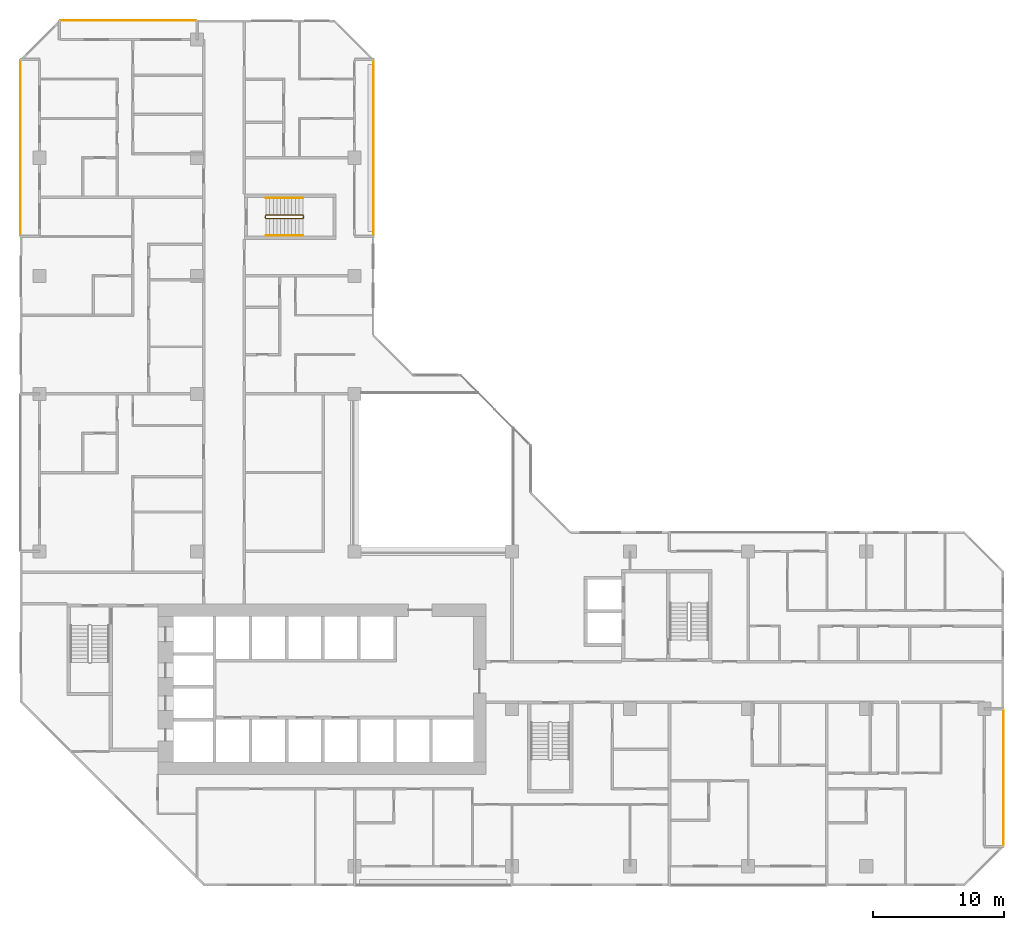
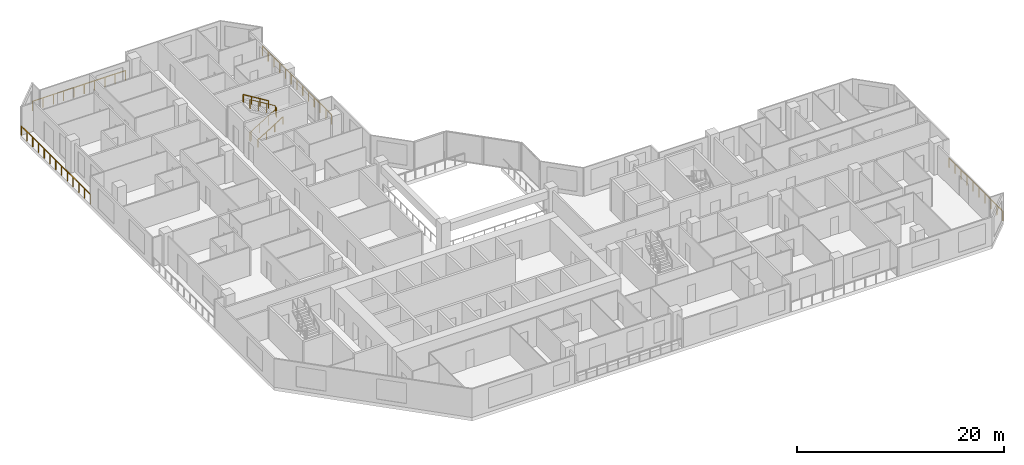
# One storey, part 15 of 15: 7 railings.
"""IFC4 building model written with IfcOpenShell, lengths in metres."""

from ifc_helpers import new_model, si_unit, direction, frame, origin, origin_2d, place, context, subcontext, project, spatial, rectangle, extrude, material, type_object, element, save


model = new_model("IFC4")

# Units and contexts
model_context = context("Model", 3, precision=1e-05, world=origin(), true_north=direction((0.0, 1.0)))
body_context = subcontext(model_context, "Body", "Model", "MODEL_VIEW")
ifc_project = project(units=[si_unit("LENGTHUNIT", "METRE"), si_unit("AREAUNIT", "SQUARE_METRE"), si_unit("VOLUMEUNIT", "CUBIC_METRE"), si_unit("PLANEANGLEUNIT", "RADIAN"), si_unit("MASSUNIT", "GRAM", prefix="KILO")], contexts=[model_context])

# Site, building, storey
site_placement = place(None, origin())
site = spatial("IfcSite", under=ifc_project, at=site_placement, CompositionType="ELEMENT")
building_placement = place(site_placement, origin())
building = spatial("IfcBuilding", under=site, at=building_placement, Name="Chenar Terraces", CompositionType="ELEMENT")
storey_placement = place(building_placement, frame((0.0, 0.0, 95.64990234375)))
storey = spatial("IfcBuildingStorey", under=building, at=storey_placement, Name="L21", CompositionType="ELEMENT", Elevation=95.64990234375)

# Railings
ifc_material_1 = material(Name="Stainless steel and glass", Category="steel")
railing_type_1 = type_object("IfcRailingType", Name="Loggia guard 1150", PredefinedType="GUARDRAIL", material=ifc_material_1)
railing_1_placement = place(storey_placement, frame((25.449951171875, 48.074951171875, 0.0)))
element("IfcRailing", 1, at=railing_1_placement, inside=storey, type_object=railing_type_1, Name="Loggia guard", PredefinedType="GUARDRAIL", context=body_context, shape_type="SweptSolid", body=[
    extrude(rectangle(XDim=0.048095703125, YDim=0.048095703125, at=origin_2d()), frame((0.0, 0.0, 1.1259765625), z_axis=(0.0, 1.0, 0.0), x_axis=(-1.0, 0.0, 0.0)), (0.0, 0.0, 1.0), 13.35009765625),
    extrude(rectangle(XDim=0.0419921875, YDim=0.0419921875, at=origin_2d()), origin(), (0.0, 0.0, 1.0), 1.101806640625),
    extrude(rectangle(XDim=0.0419921875, YDim=0.0419921875, at=origin_2d()), frame((0.0, 1.112548828125, 0.0)), (0.0, 0.0, 1.0), 1.101806640625),
    extrude(rectangle(XDim=0.0419921875, YDim=0.0419921875, at=origin_2d()), frame((0.0, 2.22509765625, 0.0)), (0.0, 0.0, 1.0), 1.101806640625),
    extrude(rectangle(XDim=0.0419921875, YDim=0.0419921875, at=origin_2d()), frame((0.0, 3.33740234375, 0.0)), (0.0, 0.0, 1.0), 1.101806640625),
    extrude(rectangle(XDim=0.0419921875, YDim=0.0419921875, at=origin_2d()), frame((0.0, 4.449951171875, 0.0)), (0.0, 0.0, 1.0), 1.101806640625),
    extrude(rectangle(XDim=0.0419921875, YDim=0.0419921875, at=origin_2d()), frame((0.0, 5.5625, 0.0)), (0.0, 0.0, 1.0), 1.101806640625),
    extrude(rectangle(XDim=0.0419921875, YDim=0.0419921875, at=origin_2d()), frame((0.0, 6.675048828125, 0.0)), (0.0, 0.0, 1.0), 1.101806640625),
    extrude(rectangle(XDim=0.0419921875, YDim=0.0419921875, at=origin_2d()), frame((0.0, 7.78759765625, 0.0)), (0.0, 0.0, 1.0), 1.101806640625),
    extrude(rectangle(XDim=0.0419921875, YDim=0.0419921875, at=origin_2d()), frame((0.0, 8.900146484375, 0.0)), (0.0, 0.0, 1.0), 1.101806640625),
    extrude(rectangle(XDim=0.0419921875, YDim=0.0419921875, at=origin_2d()), frame((0.0, 10.0126953125, 0.0)), (0.0, 0.0, 1.0), 1.101806640625),
    extrude(rectangle(XDim=0.0419921875, YDim=0.0419921875, at=origin_2d()), frame((0.0, 11.125, 0.0)), (0.0, 0.0, 1.0), 1.101806640625),
    extrude(rectangle(XDim=0.0419921875, YDim=0.0419921875, at=origin_2d()), frame((0.0, 12.237548828125, 0.0)), (0.0, 0.0, 1.0), 1.101806640625),
    extrude(rectangle(XDim=0.0419921875, YDim=0.0419921875, at=origin_2d()), frame((0.0, 13.35009765625, 0.0)), (0.0, 0.0, 1.0), 1.101806640625),
])
railing_2_placement = place(storey_placement, frame((73.449951171875, 1.574951171875, 0.0)))
element("IfcRailing", 2, at=railing_2_placement, inside=storey, type_object=railing_type_1, Name="Loggia guard", PredefinedType="GUARDRAIL", context=body_context, shape_type="SweptSolid", body=[
    extrude(rectangle(XDim=0.048095703125, YDim=0.048095703125, at=origin_2d()), frame((0.0, 0.0, 1.1259765625), z_axis=(0.0, 1.0, 0.0), x_axis=(-1.0, 0.0, 0.0)), (0.0, 0.0, 1.0), 10.35009765625),
    extrude(rectangle(XDim=0.0419921875, YDim=0.0419921875, at=origin_2d()), origin(), (0.0, 0.0, 1.0), 1.101806640625),
    extrude(rectangle(XDim=0.0419921875, YDim=0.0419921875, at=origin_2d()), frame((0.0, 1.14990234375, 0.0)), (0.0, 0.0, 1.0), 1.101806640625),
    extrude(rectangle(XDim=0.0419921875, YDim=0.0419921875, at=origin_2d()), frame((0.0, 2.300048828125, 0.0)), (0.0, 0.0, 1.0), 1.101806640625),
    extrude(rectangle(XDim=0.0419921875, YDim=0.0419921875, at=origin_2d()), frame((0.0, 3.449951171875, 0.0)), (0.0, 0.0, 1.0), 1.101806640625),
    extrude(rectangle(XDim=0.0419921875, YDim=0.0419921875, at=origin_2d()), frame((0.0, 4.60009765625, 0.0)), (0.0, 0.0, 1.0), 1.101806640625),
    extrude(rectangle(XDim=0.0419921875, YDim=0.0419921875, at=origin_2d()), frame((0.0, 5.75, 0.0)), (0.0, 0.0, 1.0), 1.101806640625),
    extrude(rectangle(XDim=0.0419921875, YDim=0.0419921875, at=origin_2d()), frame((0.0, 6.900146484375, 0.0)), (0.0, 0.0, 1.0), 1.101806640625),
    extrude(rectangle(XDim=0.0419921875, YDim=0.0419921875, at=origin_2d()), frame((0.0, 8.050048828125, 0.0)), (0.0, 0.0, 1.0), 1.101806640625),
    extrude(rectangle(XDim=0.0419921875, YDim=0.0419921875, at=origin_2d()), frame((0.0, 9.2001953125, 0.0)), (0.0, 0.0, 1.0), 1.101806640625),
    extrude(rectangle(XDim=0.0419921875, YDim=0.0419921875, at=origin_2d()), frame((0.0, 10.35009765625, 0.0)), (0.0, 0.0, 1.0), 1.101806640625),
])
railing_3_placement = place(storey_placement, frame((11.925048828125, 64.449951171875, 0.0)))
element("IfcRailing", 3, at=railing_3_placement, inside=storey, type_object=railing_type_1, Name="Loggia guard", PredefinedType="GUARDRAIL", context=body_context, shape_type="SweptSolid", body=[
    extrude(rectangle(XDim=0.048095703125, YDim=0.048095703125, at=origin_2d()), frame((0.0, 0.0, 1.1259765625), z_axis=(-1.0, 0.0, 0.0), x_axis=(0.0, -1.0, 0.0)), (0.0, 0.0, 1.0), 10.35009765625),
    extrude(rectangle(XDim=0.0419921875, YDim=0.0419921875, at=origin_2d()), origin(), (0.0, 0.0, 1.0), 1.101806640625),
    extrude(rectangle(XDim=0.0419921875, YDim=0.0419921875, at=origin_2d()), frame((-1.14990234375, 0.0, 0.0)), (0.0, 0.0, 1.0), 1.101806640625),
    extrude(rectangle(XDim=0.0419921875, YDim=0.0419921875, at=origin_2d()), frame((-2.300048828125, 0.0, 0.0)), (0.0, 0.0, 1.0), 1.101806640625),
    extrude(rectangle(XDim=0.0419921875, YDim=0.0419921875, at=origin_2d()), frame((-3.449951171875, 0.0, 0.0)), (0.0, 0.0, 1.0), 1.101806640625),
    extrude(rectangle(XDim=0.0419921875, YDim=0.0419921875, at=origin_2d()), frame((-4.60009765625, 0.0, 0.0)), (0.0, 0.0, 1.0), 1.101806640625),
    extrude(rectangle(XDim=0.0419921875, YDim=0.0419921875, at=origin_2d()), frame((-5.75, 0.0, 0.0)), (0.0, 0.0, 1.0), 1.101806640625),
    extrude(rectangle(XDim=0.0419921875, YDim=0.0419921875, at=origin_2d()), frame((-6.900146484375, 0.0, 0.0)), (0.0, 0.0, 1.0), 1.101806640625),
    extrude(rectangle(XDim=0.0419921875, YDim=0.0419921875, at=origin_2d()), frame((-8.050048828125, 0.0, 0.0)), (0.0, 0.0, 1.0), 1.101806640625),
    extrude(rectangle(XDim=0.0419921875, YDim=0.0419921875, at=origin_2d()), frame((-9.2001953125, 0.0, 0.0)), (0.0, 0.0, 1.0), 1.101806640625),
    extrude(rectangle(XDim=0.0419921875, YDim=0.0419921875, at=origin_2d()), frame((-10.35009765625, 0.0, 0.0)), (0.0, 0.0, 1.0), 1.101806640625),
])
railing_4_placement = place(storey_placement, frame((-1.449951171875, 61.425048828125, 0.0)))
element("IfcRailing", 4, at=railing_4_placement, inside=storey, type_object=railing_type_1, Name="Loggia guard", PredefinedType="GUARDRAIL", context=body_context, shape_type="SweptSolid", body=[
    extrude(rectangle(XDim=0.048095703125, YDim=0.048095703125, at=origin_2d()), frame((0.0, 0.0, 1.1259765625), z_axis=(0.0, -1.0, 0.0), x_axis=(1.0, 0.0, 0.0)), (0.0, 0.0, 1.0), 13.35009765625),
    extrude(rectangle(XDim=0.0419921875, YDim=0.0419921875, at=origin_2d()), origin(), (0.0, 0.0, 1.0), 1.101806640625),
    extrude(rectangle(XDim=0.0419921875, YDim=0.0419921875, at=origin_2d()), frame((0.0, -1.112548828125, 0.0)), (0.0, 0.0, 1.0), 1.101806640625),
    extrude(rectangle(XDim=0.0419921875, YDim=0.0419921875, at=origin_2d()), frame((0.0, -2.22509765625, 0.0)), (0.0, 0.0, 1.0), 1.101806640625),
    extrude(rectangle(XDim=0.0419921875, YDim=0.0419921875, at=origin_2d()), frame((0.0, -3.33740234375, 0.0)), (0.0, 0.0, 1.0), 1.101806640625),
    extrude(rectangle(XDim=0.0419921875, YDim=0.0419921875, at=origin_2d()), frame((0.0, -4.449951171875, 0.0)), (0.0, 0.0, 1.0), 1.101806640625),
    extrude(rectangle(XDim=0.0419921875, YDim=0.0419921875, at=origin_2d()), frame((0.0, -5.5625, 0.0)), (0.0, 0.0, 1.0), 1.101806640625),
    extrude(rectangle(XDim=0.0419921875, YDim=0.0419921875, at=origin_2d()), frame((0.0, -6.675048828125, 0.0)), (0.0, 0.0, 1.0), 1.101806640625),
    extrude(rectangle(XDim=0.0419921875, YDim=0.0419921875, at=origin_2d()), frame((0.0, -7.78759765625, 0.0)), (0.0, 0.0, 1.0), 1.101806640625),
    extrude(rectangle(XDim=0.0419921875, YDim=0.0419921875, at=origin_2d()), frame((0.0, -8.900146484375, 0.0)), (0.0, 0.0, 1.0), 1.101806640625),
    extrude(rectangle(XDim=0.0419921875, YDim=0.0419921875, at=origin_2d()), frame((0.0, -10.0126953125, 0.0)), (0.0, 0.0, 1.0), 1.101806640625),
    extrude(rectangle(XDim=0.0419921875, YDim=0.0419921875, at=origin_2d()), frame((0.0, -11.125, 0.0)), (0.0, 0.0, 1.0), 1.101806640625),
    extrude(rectangle(XDim=0.0419921875, YDim=0.0419921875, at=origin_2d()), frame((0.0, -12.237548828125, 0.0)), (0.0, 0.0, 1.0), 1.101806640625),
    extrude(rectangle(XDim=0.0419921875, YDim=0.0419921875, at=origin_2d()), frame((0.0, -13.35009765625, 0.0)), (0.0, 0.0, 1.0), 1.101806640625),
])
ifc_material_2 = material(Name="Powder-coated steel", Category="steel")
railing_type_2 = type_object("IfcRailingType", Name="Stair guard 1100", PredefinedType="GUARDRAIL", material=ifc_material_2)
railing_5_placement = place(storey_placement, frame((17.25, 49.625, 3.75)))
element("IfcRailing", 5, at=railing_5_placement, inside=storey, type_object=railing_type_2, Name="L21 ST4 stair guard 1", PredefinedType="GUARDRAIL", context=body_context, shape_type="SweptSolid", body=[
    extrude(rectangle(XDim=0.048095703125, YDim=0.048095703125, at=origin_2d()), frame((0.0, 0.0, 1.076171875), z_axis=(0.854202870247, 0.0, -0.519939858505), x_axis=(0.0, 1.0, 0.0)), (0.0, 0.0, 1.0), 3.278076171875),
    extrude(rectangle(XDim=0.048095703125, YDim=0.048095703125, at=origin_2d()), frame((2.800048828125, 0.0, -0.62841796875), z_axis=(0.270899902878, -0.270899902878, -0.923702595667), x_axis=(0.707106781187, 0.707106781187, 0.0)), (0.0, 0.0, 1.0), 0.184814453125),
    extrude(rectangle(XDim=0.048095703125, YDim=0.048095703125, at=origin_2d()), frame((2.85009765625, -0.050048828125, -0.798828125), z_axis=(0.0, -1.0, 0.0), x_axis=(1.0, 0.0, 0.0)), (0.0, 0.0, 1.0), 0.14990234375),
    extrude(rectangle(XDim=0.048095703125, YDim=0.048095703125, at=origin_2d()), frame((2.85009765625, -0.199951171875, -0.798828125), z_axis=(-0.707106781187, -0.707106781187, 0.0), x_axis=(0.707106781187, -0.707106781187, 0.0)), (0.0, 0.0, 1.0), 0.07080078125),
    extrude(rectangle(XDim=0.048095703125, YDim=0.048095703125, at=origin_2d()), frame((2.800048828125, -0.25, -0.798828125), z_axis=(-0.854202870247, 0.0, -0.519939858505), x_axis=(0.0, -1.0, 0.0)), (0.0, 0.0, 1.0), 3.278076171875),
    extrude(rectangle(XDim=0.048095703125, YDim=0.048095703125, at=origin_2d()), frame((0.0, -0.25, -2.50341796875), z_axis=(-0.270899902878, 0.270899902878, -0.923702595667), x_axis=(-0.707106781187, -0.707106781187, 0.0)), (0.0, 0.0, 1.0), 0.184814453125),
    extrude(rectangle(XDim=0.048095703125, YDim=0.048095703125, at=origin_2d()), frame((-0.050048828125, -0.199951171875, -2.673828125), z_axis=(0.0, 1.0, 0.0), x_axis=(-1.0, 0.0, 0.0)), (0.0, 0.0, 1.0), 0.14990234375),
    extrude(rectangle(XDim=0.0419921875, YDim=0.0419921875, at=origin_2d()), origin(), (0.0, 0.0, 1.0), 1.052001953125),
    extrude(rectangle(XDim=0.0419921875, YDim=0.0419921875, at=origin_2d()), frame((0.933349609375, 0.0, -0.568115234375)), (0.0, 0.0, 1.0), 1.052001953125),
    extrude(rectangle(XDim=0.0419921875, YDim=0.0419921875, at=origin_2d()), frame((1.86669921875, 0.0, -1.13623046875)), (0.0, 0.0, 1.0), 1.052001953125),
    extrude(rectangle(XDim=0.0419921875, YDim=0.0419921875, at=origin_2d()), frame((2.800048828125, 0.0, -1.704345703125)), (0.0, 0.0, 1.0), 1.052001953125),
    extrude(rectangle(XDim=0.0419921875, YDim=0.0419921875, at=origin_2d()), frame((2.85009765625, -0.050048828125, -1.875)), (0.0, 0.0, 1.0), 1.052001953125),
    extrude(rectangle(XDim=0.0419921875, YDim=0.0419921875, at=origin_2d()), frame((2.85009765625, -0.199951171875, -1.875)), (0.0, 0.0, 1.0), 1.052001953125),
    extrude(rectangle(XDim=0.0419921875, YDim=0.0419921875, at=origin_2d()), frame((2.800048828125, -0.25, -1.875)), (0.0, 0.0, 1.0), 1.052001953125),
    extrude(rectangle(XDim=0.0419921875, YDim=0.0419921875, at=origin_2d()), frame((1.86669921875, -0.25, -2.443115234375)), (0.0, 0.0, 1.0), 1.052001953125),
    extrude(rectangle(XDim=0.0419921875, YDim=0.0419921875, at=origin_2d()), frame((0.933349609375, -0.25, -3.01123046875)), (0.0, 0.0, 1.0), 1.052001953125),
    extrude(rectangle(XDim=0.0419921875, YDim=0.0419921875, at=origin_2d()), frame((0.0, -0.25, -3.579345703125)), (0.0, 0.0, 1.0), 1.052001953125),
    extrude(rectangle(XDim=0.0419921875, YDim=0.0419921875, at=origin_2d()), frame((-0.050048828125, -0.199951171875, -3.75)), (0.0, 0.0, 1.0), 1.052001953125),
    extrude(rectangle(XDim=0.0419921875, YDim=0.0419921875, at=origin_2d()), frame((-0.050048828125, -0.050048828125, -3.75)), (0.0, 0.0, 1.0), 1.052001953125),
])
ifc_material_3 = material(Name="Powder-coated steel", Category="steel")
railing_type_3 = type_object("IfcRailingType", Name="Stair handrail 900", PredefinedType="HANDRAIL", material=ifc_material_3)
railing_6_placement = place(storey_placement, frame((17.25, 48.074951171875, 0.170654296875)))
element("IfcRailing", 6, at=railing_6_placement, inside=storey, type_object=railing_type_3, Name="L21 ST4 stair handrail 1", PredefinedType="HANDRAIL", context=body_context, shape_type="SweptSolid", body=[
    extrude(rectangle(XDim=0.048095703125, YDim=0.048095703125, at=origin_2d()), frame((0.0, 0.0, 0.8759765625), z_axis=(0.854202870247, 0.0, 0.519939858505), x_axis=(0.0, 1.0, 0.0)), (0.0, 0.0, 1.0), 3.278076171875),
    extrude(rectangle(XDim=0.0419921875, YDim=0.0419921875, at=origin_2d()), origin(), (0.0, 0.0, 1.0), 0.851806640625),
    extrude(rectangle(XDim=0.0419921875, YDim=0.0419921875, at=origin_2d()), frame((0.933349609375, 0.0, 0.568115234375)), (0.0, 0.0, 1.0), 0.851806640625),
    extrude(rectangle(XDim=0.0419921875, YDim=0.0419921875, at=origin_2d()), frame((1.86669921875, 0.0, 1.13623046875)), (0.0, 0.0, 1.0), 0.851806640625),
    extrude(rectangle(XDim=0.0419921875, YDim=0.0419921875, at=origin_2d()), frame((2.800048828125, 0.0, 1.704345703125)), (0.0, 0.0, 1.0), 0.851806640625),
])
railing_7_placement = place(storey_placement, frame((20.050048828125, 50.925048828125, 2.045654296875)))
element("IfcRailing", 7, at=railing_7_placement, inside=storey, type_object=railing_type_3, Name="L21 ST4 stair handrail 2", PredefinedType="HANDRAIL", context=body_context, shape_type="SweptSolid", body=[
    extrude(rectangle(XDim=0.048095703125, YDim=0.048095703125, at=origin_2d()), frame((0.0, 0.0, 0.8759765625), z_axis=(-0.854202870247, 0.0, 0.519939858505), x_axis=(0.0, -1.0, 0.0)), (0.0, 0.0, 1.0), 3.278076171875),
    extrude(rectangle(XDim=0.0419921875, YDim=0.0419921875, at=origin_2d()), origin(), (0.0, 0.0, 1.0), 0.851806640625),
    extrude(rectangle(XDim=0.0419921875, YDim=0.0419921875, at=origin_2d()), frame((-0.933349609375, 0.0, 0.568115234375)), (0.0, 0.0, 1.0), 0.851806640625),
    extrude(rectangle(XDim=0.0419921875, YDim=0.0419921875, at=origin_2d()), frame((-1.86669921875, 0.0, 1.13623046875)), (0.0, 0.0, 1.0), 0.851806640625),
    extrude(rectangle(XDim=0.0419921875, YDim=0.0419921875, at=origin_2d()), frame((-2.800048828125, 0.0, 1.704345703125)), (0.0, 0.0, 1.0), 0.851806640625),
])

save(model, "model.ifc")
